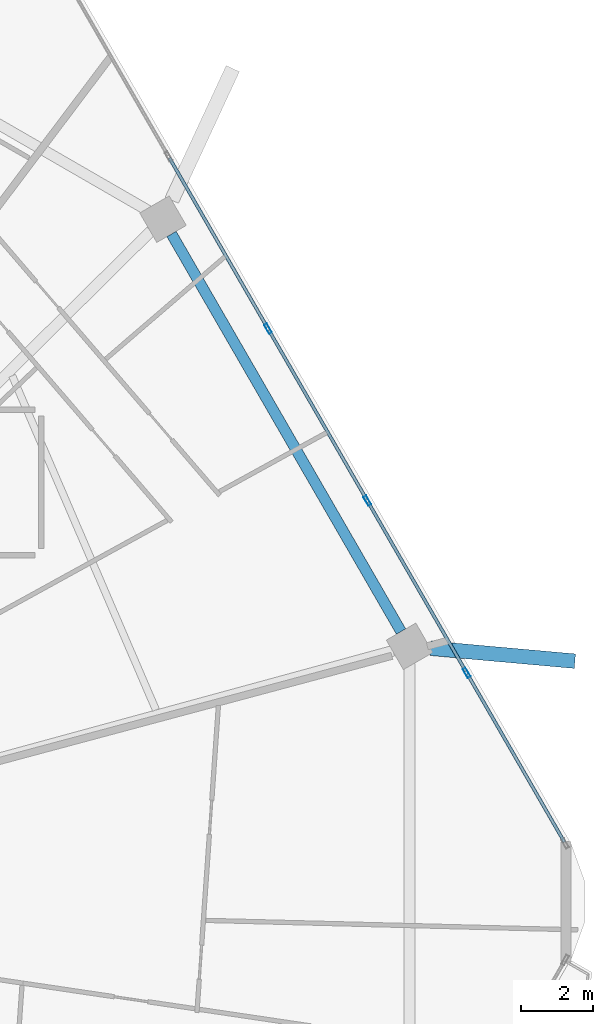
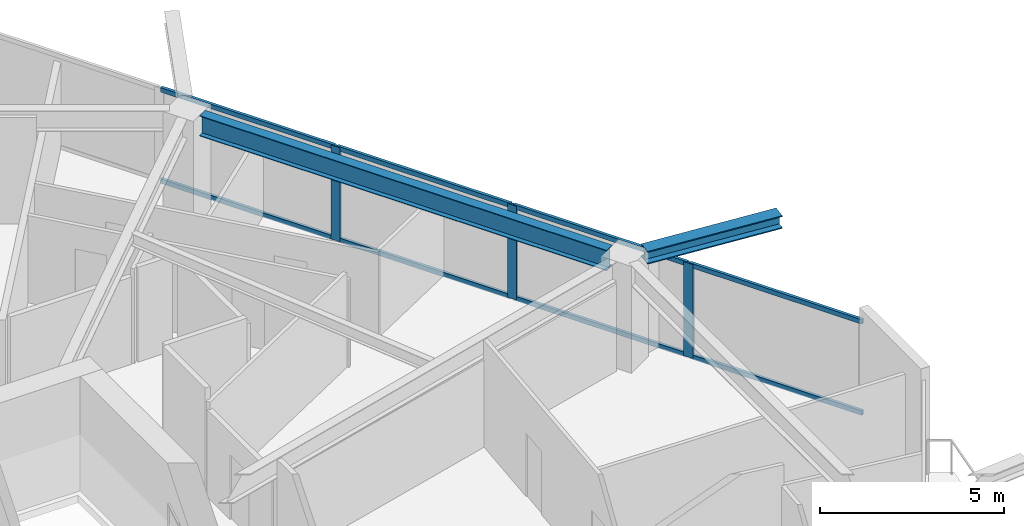
# One storey, part 15 of 27: 11 members, 2 beams, 1 element without a shape of its own.
"""IFC4 building model written with IfcOpenShell, lengths in metres."""

import ifcopenshell
import ifcopenshell.guid

model = None  # the IFC model being written
_history = None  # IfcOwnerHistory: only IFC2X3 demands one
_inside = {}  # id of a spatial element -> (the spatial element, [elements in it])
_under = {}  # id of a project, library or spatial element -> (it, [spatial elements below it])
_declared = {}  # id of a project -> (the project, [libraries it declares])
_typed = {}  # id of a type object -> (the type object, [elements of that type])
_made_of = {}  # id of a material, layer set ... -> (it, [elements and type objects made of it])


def new_model(schema):
    """Start an empty IFC model of exactly this schema.

    Asked for "IFC4X3", IfcOpenShell would pick the latest addendum, in which some entities
    have other attributes; the version numbers below select the first issue.
    IFC2X3 requires an IfcOwnerHistory on every rooted entity: one is made here for all.
    """
    global model, _history
    if schema == "IFC4X3":
        model = ifcopenshell.file(schema_version=(4, 3, 0, 0))
    else:
        model = ifcopenshell.file(schema=schema)
    _inside.clear()
    _under.clear()
    _declared.clear()
    _typed.clear()
    _made_of.clear()
    _history = None
    if model.schema == "IFC2X3":
        org = make("IfcOrganization", Name="unknown")
        user = make(
            "IfcPersonAndOrganization",
            ThePerson=make("IfcPerson", FamilyName="unknown"),
            TheOrganization=org,
        )
        app = make(
            "IfcApplication",
            ApplicationDeveloper=org,
            Version="unknown",
            ApplicationFullName="unknown",
            ApplicationIdentifier="unknown",
        )
        _history = make(
            "IfcOwnerHistory",
            OwningUser=user,
            OwningApplication=app,
            ChangeAction="ADDED",
            CreationDate=0,
        )
    return model


def make(cls, **values):
    """One entity of the class cls with the attributes given. An attribute that is None is left unset."""
    return model.create_entity(
        cls, **{name: value for name, value in values.items() if value is not None}
    )


def rooted(cls, **values):
    """An entity with a GlobalId (a new one), such as an element, a storey or a relation."""
    return make(cls, GlobalId=ifcopenshell.guid.new(), OwnerHistory=_history, **values)


def si_unit(unit_type, name, prefix=None):
    """IfcSIUnit, for example si_unit("LENGTHUNIT", "METRE", prefix="MILLI")."""
    return make("IfcSIUnit", UnitType=unit_type, Prefix=prefix, Name=name)


def assignment(units):
    """IfcUnitAssignment: the units of a project."""
    return None if units is None else make("IfcUnitAssignment", Units=units)


def point(xyz):
    """IfcCartesianPoint."""
    return None if xyz is None else make("IfcCartesianPoint", Coordinates=xyz)


def direction(xyz):
    """IfcDirection."""
    return None if xyz is None else make("IfcDirection", DirectionRatios=xyz)


def frame(location, z_axis=None, x_axis=None):
    """IfcAxis2Placement3D, a coordinate frame: its origin and axes. An axis left out is left unset."""
    return make(
        "IfcAxis2Placement3D",
        Location=point(location),
        Axis=direction(z_axis),
        RefDirection=direction(x_axis),
    )


def frame_2d(location, x_axis=None):
    """IfcAxis2Placement2D, a coordinate frame in the plane: its origin and x axis."""
    return make(
        "IfcAxis2Placement2D", Location=point(location), RefDirection=direction(x_axis)
    )


def origin():
    """The frame at (0, 0, 0) with its axes left unset."""
    return frame((0.0, 0.0, 0.0))


def origin_2d():
    """The frame at (0, 0) in the plane with its x axis left unset."""
    return frame_2d((0.0, 0.0))


def place(relative_to, where):
    """IfcLocalPlacement: puts the frame where relative to a parent placement (None: the world)."""
    return make(
        "IfcLocalPlacement", PlacementRelTo=relative_to, RelativePlacement=where
    )


def context(
    kind, dimensions, precision=None, world=None, true_north=None, identifier=None
):
    """IfcGeometricRepresentationContext, for example the 3D "Model" context."""
    return make(
        "IfcGeometricRepresentationContext",
        ContextIdentifier=identifier,
        ContextType=kind,
        CoordinateSpaceDimension=dimensions,
        Precision=precision,
        WorldCoordinateSystem=world,
        TrueNorth=true_north,
    )


def subcontext(parent, identifier, kind, view, scale=None):
    """IfcGeometricRepresentationSubContext, for example "Body" below "Model"."""
    return make(
        "IfcGeometricRepresentationSubContext",
        ContextIdentifier=identifier,
        ContextType=kind,
        ParentContext=parent,
        TargetScale=scale,
        TargetView=view,
    )


def project(units=None, contexts=None):
    """IfcProject with its units and contexts."""
    return rooted(
        "IfcProject",
        Name="project",
        RepresentationContexts=contexts,
        UnitsInContext=assignment(units),
    )


def spatial(cls, under=None, at=None, **own):
    """A site, building, storey or space (cls), placed at a placement, below another one or the project."""
    s = rooted(cls, ObjectPlacement=at, **own)
    if under is not None:
        _under.setdefault(under.id(), (under, []))[1].append(s)
    return s


def profile(cls, at=None, kind="AREA", **sizes):
    """A parametric profile (cls). Its sizes go by their IFC names, for example OverallWidth=200.0."""
    return make(cls, ProfileType=kind, Position=at, **sizes)


def hollow_rectangle(**sizes):
    """IfcRectangleHollowProfileDef."""
    return profile("IfcRectangleHollowProfileDef", **sizes)


def i_section(**sizes):
    """IfcIShapeProfileDef."""
    return profile("IfcIShapeProfileDef", **sizes)


def extrude(swept, where, along, depth):
    """IfcExtrudedAreaSolid: the profile swept, set in the frame where, extruded along a direction by depth."""
    return make(
        "IfcExtrudedAreaSolid",
        SweptArea=swept,
        Position=where,
        ExtrudedDirection=direction(along),
        Depth=depth,
    )


def shape(context_of_items, identifier, shape_type, items):
    """IfcShapeRepresentation: the items that make up one representation, for example the "Body"."""
    return make(
        "IfcShapeRepresentation",
        ContextOfItems=context_of_items,
        RepresentationIdentifier=identifier,
        RepresentationType=shape_type,
        Items=items,
    )


def material(Name=None, Category=None):
    """IfcMaterial."""
    return make("IfcMaterial", Name=Name, Category=Category)


def material_profile(
    of_material, cross_section, Name=None, Category=None, Priority=None
):
    """IfcMaterialProfile: a cross section and its material."""
    return make(
        "IfcMaterialProfile",
        Name=Name,
        Material=of_material,
        Profile=cross_section,
        Priority=Priority,
        Category=Category,
    )


def profile_set(profiles, Name=None, composite=None):
    """IfcMaterialProfileSet."""
    return make(
        "IfcMaterialProfileSet",
        Name=Name,
        MaterialProfiles=profiles,
        CompositeProfile=composite,
    )


def made_of(thing, what):
    """Note that an element or type object is made of a material, layer set ...; save() writes the relation."""
    if what is not None:
        _made_of.setdefault(what.id(), (what, []))[1].append(thing)
    return thing


def type_object(cls, material=None, **own):
    """A type object (cls), such as IfcWallType, which elements share."""
    return made_of(rooted(cls, **own), material)


def element(
    cls,
    number,
    at=None,
    inside=None,
    cuts=None,
    type_object=None,
    material=None,
    context=None,
    identifier="Body",
    shape_type=None,
    held_by="IfcProductDefinitionShape",
    body=None,
    shapes=None,
    **own,
):
    """One element of the class cls, such as IfcWall. Its Tag is "e" and its number.

    at: its placement. inside: the storey or other place that contains it. cuts: it is an
    opening in that element (IfcRelVoidsElement). A single representation is given by context,
    identifier, shape_type and body (its items); several are given by shapes. held_by: the class
    of the entity that holds the representations. save() writes the other relations.
    """
    e = rooted(cls, Tag="e%d" % number, ObjectPlacement=at, **own)
    if body is not None:
        shapes = [shape(context, identifier, shape_type, body)]
    if shapes is not None:
        e.Representation = make(held_by, Representations=shapes)
    if inside is not None:
        _inside.setdefault(inside.id(), (inside, []))[1].append(e)
    if cuts is not None:
        rooted(
            "IfcRelVoidsElement", RelatingBuildingElement=cuts, RelatedOpeningElement=e
        )
    if type_object is not None:
        _typed.setdefault(type_object.id(), (type_object, []))[1].append(e)
    return made_of(e, material)


def aggregate(whole, parts):
    """IfcRelAggregates: a whole, such as a stair, and the parts it consists of."""
    return rooted("IfcRelAggregates", RelatingObject=whole, RelatedObjects=parts)


def save(model, path):
    """Write the relations noted so far, then the file.

    IfcRelAggregates (storeys below a building ...), IfcRelContainedInSpatialStructure (elements
    in a storey), IfcRelDefinesByType, IfcRelAssociatesMaterial and IfcRelDeclares: one each for
    every whole, place, type object, material and project.
    """
    for whole, parts in _under.values():
        aggregate(whole, parts)
    for where, things in _inside.values():
        rooted(
            "IfcRelContainedInSpatialStructure",
            RelatedElements=things,
            RelatingStructure=where,
        )
    for kind, things in _typed.values():
        rooted("IfcRelDefinesByType", RelatedObjects=things, RelatingType=kind)
    for what, things in _made_of.values():
        rooted("IfcRelAssociatesMaterial", RelatedObjects=things, RelatingMaterial=what)
    for by, libraries in _declared.values():
        rooted("IfcRelDeclares", RelatingContext=by, RelatedDefinitions=libraries)
    model.write(path)


model = new_model("IFC4")

# Units and contexts
model_context = context("Model", 3, precision=1e-05, world=origin(), true_north=direction((0.0, 1.0)))
body_context = subcontext(model_context, "Body", "Model", "MODEL_VIEW")
ifc_project = project(units=[si_unit("LENGTHUNIT", "METRE"), si_unit("AREAUNIT", "SQUARE_METRE"), si_unit("VOLUMEUNIT", "CUBIC_METRE"), si_unit("PLANEANGLEUNIT", "RADIAN"), si_unit("MASSUNIT", "GRAM", prefix="KILO")], contexts=[model_context])

# Site, building, storey
site_placement = place(None, origin())
site = spatial("IfcSite", under=ifc_project, at=site_placement, CompositionType="ELEMENT")
building_placement = place(site_placement, origin())
building = spatial("IfcBuilding", under=site, at=building_placement, Name="Zuhravey Tower", CompositionType="ELEMENT")
storey_placement = place(building_placement, frame((0.0, 0.0, 188.39990234375)))
storey = spatial("IfcBuildingStorey", under=building, at=storey_placement, Name="L47", CompositionType="ELEMENT", Elevation=188.39990234375)

# Curtain wall, members
ifc_material_1 = material(Name="Thermally broken anodised aluminium", Category="aluminium")
curtain_wall_type = type_object("IfcCurtainWallType", Name="Zone 1-2 Residential Curtain Wall CW3", PredefinedType="NOTDEFINED", material=ifc_material_1)
curtain_wall_placement = place(storey_placement, origin())
curtain_wall = element("IfcCurtainWall", 1, at=curtain_wall_placement, inside=storey, type_object=curtain_wall_type, Name="L47 CW3 CW-L47-F1-1", PredefinedType="NOTDEFINED")
ifc_material_2 = material(Name="Anodised aluminium", Category="aluminium")
ifc_material_profile_1 = material_profile(ifc_material_2, hollow_rectangle(XDim=0.090087890625, YDim=0.284912109375, WallThickness=0.0048828125, at=origin_2d()), Name="ALU-RHS-90x285x5")
ifc_profile_set_1 = profile_set([ifc_material_profile_1], Name="Anodised aluminium")
member_type_1 = type_object("IfcMemberType", Name="Curtain-Wall Mullion 90x180", PredefinedType="MULLION", material=ifc_profile_set_1)
member_1_placement = place(storey_placement, frame((58.155029296875, 47.992431640625, 0.0), z_axis=(0.0, 0.0, 1.0), x_axis=(0.866025138215, 0.500000459979, 0.0)))
member_1 = element("IfcMember", 2, at=member_1_placement, type_object=member_type_1, Name="CW3 mullion 3", PredefinedType="MULLION", context=body_context, shape_type="SweptSolid", body=[
    extrude(hollow_rectangle(XDim=0.090087890625, YDim=0.284912109375, WallThickness=0.0048828125, at=origin_2d()), origin(), (0.0, 0.0, 1.0), 3.1220703125),
])
member_2_placement = place(storey_placement, frame((60.92724609375, 43.190673828125, 0.0), z_axis=(0.0, 0.0, 1.0), x_axis=(0.866025138215, 0.500000459979, 0.0)))
member_2 = element("IfcMember", 3, at=member_2_placement, type_object=member_type_1, Name="CW3 mullion 4", PredefinedType="MULLION", context=body_context, shape_type="SweptSolid", body=[
    extrude(hollow_rectangle(XDim=0.090087890625, YDim=0.284912109375, WallThickness=0.0048828125, at=origin_2d()), origin(), (0.0, 0.0, 1.0), 3.1220703125),
])
member_3_placement = place(storey_placement, frame((63.699462890625, 38.38916015625, 0.0), z_axis=(0.0, 0.0, 1.0), x_axis=(0.866025138215, 0.500000459979, 0.0)))
member_3 = element("IfcMember", 4, at=member_3_placement, type_object=member_type_1, Name="CW3 mullion 5", PredefinedType="MULLION", context=body_context, shape_type="SweptSolid", body=[
    extrude(hollow_rectangle(XDim=0.090087890625, YDim=0.284912109375, WallThickness=0.0048828125, at=origin_2d()), origin(), (0.0, 0.0, 1.0), 3.1220703125),
])
ifc_material_profile_2 = material_profile(ifc_material_2, hollow_rectangle(XDim=0.090087890625, YDim=0.14990234375, WallThickness=0.0048828125, at=origin_2d()), Name="ALU-RHS-90x150x5")
ifc_profile_set_2 = profile_set([ifc_material_profile_2], Name="Anodised aluminium")
member_type_2 = type_object("IfcMemberType", Name="Curtain-Wall Transom 90x150", PredefinedType="USERDEFINED", material=ifc_profile_set_2)
member_4_placement = place(storey_placement, frame((55.405517578125, 52.755126953125, 0.045166015625), z_axis=(0.49996138257, -0.86604769842, 0.0), x_axis=(0.86604769842, 0.49996138257, 0.0)))
member_4 = element("IfcMember", 5, at=member_4_placement, type_object=member_type_2, Name="CW3 transom 2.1", ObjectType="TRANSOM", PredefinedType="USERDEFINED", context=body_context, shape_type="SweptSolid", body=[
    extrude(hollow_rectangle(XDim=0.090087890625, YDim=0.14990234375, WallThickness=0.0048828125, at=origin_2d()), origin(), (0.0, 0.0, 1.0), 5.45458984375),
])
member_5_placement = place(storey_placement, frame((55.405517578125, 52.755126953125, 3.0771484375), z_axis=(0.49996138257, -0.86604769842, 0.0), x_axis=(0.86604769842, 0.49996138257, 0.0)))
member_5 = element("IfcMember", 6, at=member_5_placement, type_object=member_type_2, Name="CW3 transom 2.2", ObjectType="TRANSOM", PredefinedType="USERDEFINED", context=body_context, shape_type="SweptSolid", body=[
    extrude(hollow_rectangle(XDim=0.090087890625, YDim=0.14990234375, WallThickness=0.0048828125, at=origin_2d()), origin(), (0.0, 0.0, 1.0), 5.45458984375),
])
member_6_placement = place(storey_placement, frame((58.177734375, 47.953369140625, 0.045166015625), z_axis=(0.499980763544, -0.866036509673, 0.0), x_axis=(0.866036509673, 0.499980763544, 0.0)))
member_6 = element("IfcMember", 7, at=member_6_placement, type_object=member_type_2, Name="CW3 transom 3.1", ObjectType="TRANSOM", PredefinedType="USERDEFINED", context=body_context, shape_type="SweptSolid", body=[
    extrude(hollow_rectangle(XDim=0.090087890625, YDim=0.14990234375, WallThickness=0.0048828125, at=origin_2d()), origin(), (0.0, 0.0, 1.0), 5.454345703125),
])
member_7_placement = place(storey_placement, frame((58.177734375, 47.953369140625, 3.0771484375), z_axis=(0.499980763544, -0.866036509673, 0.0), x_axis=(0.866036509673, 0.499980763544, 0.0)))
member_7 = element("IfcMember", 8, at=member_7_placement, type_object=member_type_2, Name="CW3 transom 3.2", ObjectType="TRANSOM", PredefinedType="USERDEFINED", context=body_context, shape_type="SweptSolid", body=[
    extrude(hollow_rectangle(XDim=0.090087890625, YDim=0.14990234375, WallThickness=0.0048828125, at=origin_2d()), origin(), (0.0, 0.0, 1.0), 5.454345703125),
])
member_8_placement = place(storey_placement, frame((60.949951171875, 43.15185546875, 0.045166015625), z_axis=(0.49996138257, -0.86604769842, 0.0), x_axis=(0.86604769842, 0.49996138257, 0.0)))
member_8 = element("IfcMember", 9, at=member_8_placement, type_object=member_type_2, Name="CW3 transom 4.1", ObjectType="TRANSOM", PredefinedType="USERDEFINED", context=body_context, shape_type="SweptSolid", body=[
    extrude(hollow_rectangle(XDim=0.090087890625, YDim=0.14990234375, WallThickness=0.0048828125, at=origin_2d()), origin(), (0.0, 0.0, 1.0), 5.45458984375),
])
member_9_placement = place(storey_placement, frame((60.949951171875, 43.15185546875, 3.0771484375), z_axis=(0.49996138257, -0.86604769842, 0.0), x_axis=(0.86604769842, 0.49996138257, 0.0)))
member_9 = element("IfcMember", 10, at=member_9_placement, type_object=member_type_2, Name="CW3 transom 4.2", ObjectType="TRANSOM", PredefinedType="USERDEFINED", context=body_context, shape_type="SweptSolid", body=[
    extrude(hollow_rectangle(XDim=0.090087890625, YDim=0.14990234375, WallThickness=0.0048828125, at=origin_2d()), origin(), (0.0, 0.0, 1.0), 5.45458984375),
])
member_10_placement = place(storey_placement, frame((63.72216796875, 38.35009765625, 0.045166015625), z_axis=(0.499993332629, -0.866029253159, 0.0), x_axis=(0.866029253159, 0.499993332629, 0.0)))
member_10 = element("IfcMember", 11, at=member_10_placement, type_object=member_type_2, Name="CW3 transom 5.1", ObjectType="TRANSOM", PredefinedType="USERDEFINED", context=body_context, shape_type="SweptSolid", body=[
    extrude(hollow_rectangle(XDim=0.090087890625, YDim=0.14990234375, WallThickness=0.0048828125, at=origin_2d()), origin(), (0.0, 0.0, 1.0), 5.4091796875),
])
member_11_placement = place(storey_placement, frame((63.72216796875, 38.35009765625, 3.0771484375), z_axis=(0.499993332629, -0.866029253159, 0.0), x_axis=(0.866029253159, 0.499993332629, 0.0)))
member_11 = element("IfcMember", 12, at=member_11_placement, type_object=member_type_2, Name="CW3 transom 5.2", ObjectType="TRANSOM", PredefinedType="USERDEFINED", context=body_context, shape_type="SweptSolid", body=[
    extrude(hollow_rectangle(XDim=0.090087890625, YDim=0.14990234375, WallThickness=0.0048828125, at=origin_2d()), origin(), (0.0, 0.0, 1.0), 5.4091796875),
])
aggregate(curtain_wall, [member_1, member_2, member_3, member_4, member_5, member_6, member_7, member_8, member_9, member_10, member_11])

# Beams
ifc_material_3 = material(Name="Steel SM460", Category="steel")
ifc_material_profile_3 = material_profile(ifc_material_3, i_section(OverallWidth=0.406982421875, OverallDepth=0.427978515625, WebThickness=0.02001953125, FlangeThickness=0.034912109375, at=origin_2d()), Name="H-428x407x20x35")
ifc_profile_set_3 = profile_set([ifc_material_profile_3], Name="Steel SM460")
beam_type_1 = type_object("IfcBeamType", Name="Exoskeleton Node Tie Beam H428x407", PredefinedType="BEAM", material=ifc_profile_set_3)
beam_1_placement = place(storey_placement, frame((62.68994140625, 39.07421875, 3.336181640625), z_axis=(0.99601007457, -0.08924086147, 0.0), x_axis=(0.08924086147, 0.99601007457, 0.0)))
element("IfcBeam", 13, at=beam_1_placement, inside=storey, type_object=beam_type_1, Name="L47 Exoskeleton Node Tie NT1-01", PredefinedType="BEAM", context=body_context, shape_type="SweptSolid", body=[
    extrude(i_section(OverallWidth=0.406982421875, OverallDepth=0.427978515625, WebThickness=0.02001953125, FlangeThickness=0.034912109375, at=origin_2d()), origin(), (0.0, 0.0, 1.0), 4.046142578125),
])
ifc_material_4 = material(Name="Steel SM355", Category="steel")
ifc_material_profile_4 = material_profile(ifc_material_4, i_section(OverallWidth=0.300048828125, OverallDepth=0.679931640625, WebThickness=0.012939453125, FlangeThickness=0.02197265625, at=origin_2d()), Name="H-680x300x13x22")
ifc_profile_set_4 = profile_set([ifc_material_profile_4], Name="Steel SM355")
beam_type_2 = type_object("IfcBeamType", Name="Perimeter Ring Beam H680x300", PredefinedType="BEAM", material=ifc_profile_set_4)
beam_2_placement = place(storey_placement, frame((61.86865234375, 39.54052734375, 3.210205078125), z_axis=(-0.500003505699, 0.866023379758, 0.0), x_axis=(-0.866023379758, -0.500003505699, 0.0)))
element("IfcBeam", 14, at=beam_2_placement, inside=storey, type_object=beam_type_2, Name="L47 PB2 BM-L47-PB-01", PredefinedType="BEAM", context=body_context, shape_type="SweptSolid", body=[
    extrude(i_section(OverallWidth=0.300048828125, OverallDepth=0.679931640625, WebThickness=0.012939453125, FlangeThickness=0.02197265625, at=origin_2d()), origin(), (0.0, 0.0, 1.0), 12.80810546875),
])

save(model, "model.ifc")
